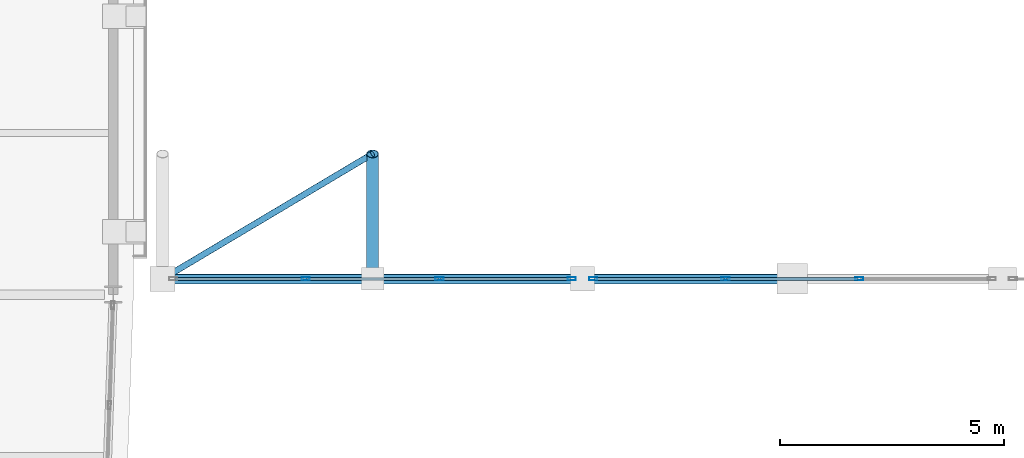
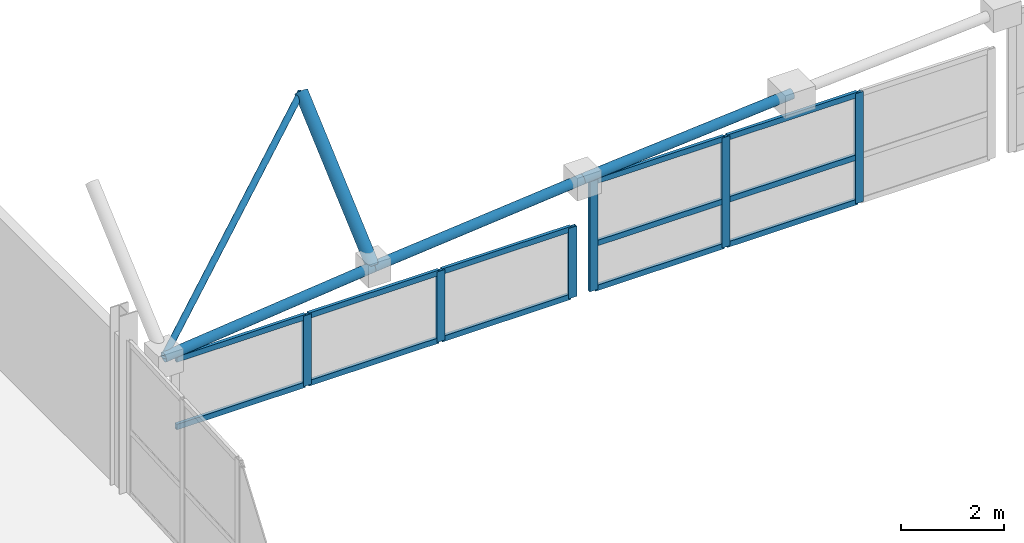
# One storey, part 27 of 60: 22 members, 1 beam, 2 elements without a shape of their own.
"""IFC4 building model written with IfcOpenShell, lengths in metres."""

from ifc_helpers import new_model, si_unit, direction, frame, origin, origin_2d, place, context, subcontext, project, spatial, hollow_rectangle, hollow_circle, extrude, material, layer, layer_set, material_profile, profile_set, type_object, element, aggregate, save


model = new_model("IFC4")

# Units and contexts
model_context = context("Model", 3, precision=1e-05, world=origin(), true_north=direction((0.0, 1.0)))
body_context = subcontext(model_context, "Body", "Model", "MODEL_VIEW")
ifc_project = project(units=[si_unit("LENGTHUNIT", "METRE"), si_unit("AREAUNIT", "SQUARE_METRE"), si_unit("VOLUMEUNIT", "CUBIC_METRE"), si_unit("PLANEANGLEUNIT", "RADIAN"), si_unit("MASSUNIT", "GRAM", prefix="KILO")], contexts=[model_context])

# Site, building, storey
site_placement = place(None, origin())
site = spatial("IfcSite", under=ifc_project, at=site_placement, CompositionType="ELEMENT")
building_placement = place(site_placement, origin())
building = spatial("IfcBuilding", under=site, at=building_placement, Name="Quillay Park Conservatory", CompositionType="ELEMENT")
storey_placement = place(building_placement, frame((0.0, 0.0, 9.89990234375)))
storey = spatial("IfcBuildingStorey", under=building, at=storey_placement, Name="L02", CompositionType="ELEMENT", Elevation=9.89990234375)

# Curtain wall, members
ifc_material_1 = material(Name="Thermally Broken Anodised Aluminium 6063-T6", Category="aluminium")
ifc_layer = layer(ifc_material_1, 0.219970703125)
ifc_layer_set = layer_set([ifc_layer], Name="UNITISED CURTAIN WALL CONSERVATORY (Thermally Broken Anodised Aluminium 6063-T6)")
curtain_wall_type = type_object("IfcCurtainWallType", Name="UNITISED CURTAIN WALL CONSERVATORY", PredefinedType="USERDEFINED", material=ifc_layer_set)
curtain_wall_1_placement = place(storey_placement, origin())
curtain_wall_1 = element("IfcCurtainWall", 1, at=curtain_wall_1_placement, inside=storey, type_object=curtain_wall_type, Name="L02 Unitised Curtain Wall 187", ObjectType="UNITISED CURTAIN WALL", PredefinedType="USERDEFINED")
ifc_material_2 = material(Name="Thermally Broken Anodised Aluminium 6063-T6", Category="aluminium")
ifc_material_profile_1 = material_profile(ifc_material_2, hollow_rectangle(XDim=0.070068359375, YDim=0.179931640625, WallThickness=0.00390625, at=origin_2d()), Name="AL70x180x4")
ifc_profile_set_1 = profile_set([ifc_material_profile_1], Name="Thermally Broken Anodised Aluminium 6063-T6")
member_type_1 = type_object("IfcMemberType", Name="CURTAIN WALL MULLION 70 X180", PredefinedType="MULLION", material=ifc_profile_set_1)
member_1_placement = place(storey_placement, frame((39.7685546875, 85.550048828125, 0.7001953125), z_axis=(0.0, 0.0, 1.0), x_axis=(0.0, -1.0, 0.0)))
member_1 = element("IfcMember", 2, at=member_1_placement, type_object=member_type_1, Name="CW-C1 mullion 1", PredefinedType="MULLION", context=body_context, shape_type="SweptSolid", body=[
    extrude(hollow_rectangle(XDim=0.070068359375, YDim=0.179931640625, WallThickness=0.00390625, at=origin_2d()), origin(), (0.0, 0.0, 1.0), 1.665771484375),
])
member_2_placement = place(storey_placement, frame((36.81982421875, 85.550048828125, 0.7001953125), z_axis=(0.0, 0.0, 1.0), x_axis=(0.0, -1.0, 0.0)))
member_2 = element("IfcMember", 3, at=member_2_placement, type_object=member_type_1, Name="CW-C1 mullion 2", PredefinedType="MULLION", context=body_context, shape_type="SweptSolid", body=[
    extrude(hollow_rectangle(XDim=0.070068359375, YDim=0.179931640625, WallThickness=0.00390625, at=origin_2d()), origin(), (0.0, 0.0, 1.0), 1.665771484375),
])
member_3_placement = place(storey_placement, frame((33.8359375, 85.550048828125, 0.7001953125), z_axis=(0.0, 0.0, 1.0), x_axis=(0.0, -1.0, 0.0)))
member_3 = element("IfcMember", 4, at=member_3_placement, type_object=member_type_1, Name="CW-C1 mullion 3", PredefinedType="MULLION", context=body_context, shape_type="SweptSolid", body=[
    extrude(hollow_rectangle(XDim=0.070068359375, YDim=0.179931640625, WallThickness=0.00390625, at=origin_2d()), origin(), (0.0, 0.0, 1.0), 1.665771484375),
])

curtain_wall_2_placement = place(storey_placement, origin())
curtain_wall_2 = element("IfcCurtainWall", 5, at=curtain_wall_2_placement, inside=storey, type_object=curtain_wall_type, Name="L02 Unitised Curtain Wall 188", ObjectType="UNITISED CURTAIN WALL", PredefinedType="USERDEFINED")
member_4_placement = place(storey_placement, frame((46.17529296875, 85.550048828125, 0.7001953125), z_axis=(0.0, 0.0, 1.0), x_axis=(0.0, -1.0, 0.0)))
member_4 = element("IfcMember", 6, at=member_4_placement, type_object=member_type_1, Name="CW-C1 mullion 2", PredefinedType="MULLION", context=body_context, shape_type="SweptSolid", body=[
    extrude(hollow_rectangle(XDim=0.070068359375, YDim=0.179931640625, WallThickness=0.00390625, at=origin_2d()), origin(), (0.0, 0.0, 1.0), 2.599365234375),
])
member_5_placement = place(storey_placement, frame((43.19140625, 85.550048828125, 0.7001953125), z_axis=(0.0, 0.0, 1.0), x_axis=(0.0, -1.0, 0.0)))
member_5 = element("IfcMember", 7, at=member_5_placement, type_object=member_type_1, Name="CW-C1 mullion 3", PredefinedType="MULLION", context=body_context, shape_type="SweptSolid", body=[
    extrude(hollow_rectangle(XDim=0.070068359375, YDim=0.179931640625, WallThickness=0.00390625, at=origin_2d()), origin(), (0.0, 0.0, 1.0), 2.599365234375),
])
member_6_placement = place(storey_placement, frame((40.24267578125, 85.550048828125, 0.7001953125), z_axis=(0.0, 0.0, 1.0), x_axis=(0.0, -1.0, 0.0)))
member_6 = element("IfcMember", 8, at=member_6_placement, type_object=member_type_1, Name="CW-C1 mullion 4", PredefinedType="MULLION", context=body_context, shape_type="SweptSolid", body=[
    extrude(hollow_rectangle(XDim=0.070068359375, YDim=0.179931640625, WallThickness=0.00390625, at=origin_2d()), origin(), (0.0, 0.0, 1.0), 2.599365234375),
])

# Member
ifc_material_3 = material(Name="Thermally Broken Anodised Aluminium 6063-T6", Category="aluminium")
ifc_material_profile_2 = material_profile(ifc_material_3, hollow_rectangle(XDim=0.070068359375, YDim=0.1298828125, WallThickness=0.003173828125, at=origin_2d()), Name="AL70x130x3.2")
ifc_profile_set_2 = profile_set([ifc_material_profile_2], Name="Thermally Broken Anodised Aluminium 6063-T6")
member_type_2 = type_object("IfcMemberType", Name="CURTAIN WALL TRANSOM 70 X130", PredefinedType="USERDEFINED", material=ifc_profile_set_2)
member_7_placement = place(storey_placement, frame((39.733642578125, 85.550048828125, 0.735107421875), z_axis=(-1.0, 0.0, 0.0), x_axis=(0.0, -1.0, 0.0)))
member_7 = element("IfcMember", 9, at=member_7_placement, type_object=member_type_2, Name="CW-C1 transom 1.1", ObjectType="TRANSOM", PredefinedType="USERDEFINED", context=body_context, shape_type="SweptSolid", body=[
    extrude(hollow_rectangle(XDim=0.070068359375, YDim=0.1298828125, WallThickness=0.003173828125, at=origin_2d()), origin(), (0.0, 0.0, 1.0), 2.87890625),
])

member_8_placement = place(storey_placement, frame((39.733642578125, 85.550048828125, 2.3310546875), z_axis=(-1.0, 0.0, 0.0), x_axis=(0.0, -1.0, 0.0)))
member_8 = element("IfcMember", 10, at=member_8_placement, type_object=member_type_2, Name="CW-C1 transom 1.2", ObjectType="TRANSOM", PredefinedType="USERDEFINED", context=body_context, shape_type="SweptSolid", body=[
    extrude(hollow_rectangle(XDim=0.070068359375, YDim=0.1298828125, WallThickness=0.003173828125, at=origin_2d()), origin(), (0.0, 0.0, 1.0), 2.87890625),
])

member_9_placement = place(storey_placement, frame((36.78466796875, 85.550048828125, 0.735107421875), z_axis=(-1.0, 0.0, 0.0), x_axis=(0.0, -1.0, 0.0)))
member_9 = element("IfcMember", 11, at=member_9_placement, type_object=member_type_2, Name="CW-C1 transom 2.1", ObjectType="TRANSOM", PredefinedType="USERDEFINED", context=body_context, shape_type="SweptSolid", body=[
    extrude(hollow_rectangle(XDim=0.070068359375, YDim=0.1298828125, WallThickness=0.003173828125, at=origin_2d()), origin(), (0.0, 0.0, 1.0), 2.913818359375),
])

member_10_placement = place(storey_placement, frame((36.78466796875, 85.550048828125, 2.3310546875), z_axis=(-1.0, 0.0, 0.0), x_axis=(0.0, -1.0, 0.0)))
member_10 = element("IfcMember", 12, at=member_10_placement, type_object=member_type_2, Name="CW-C1 transom 2.2", ObjectType="TRANSOM", PredefinedType="USERDEFINED", context=body_context, shape_type="SweptSolid", body=[
    extrude(hollow_rectangle(XDim=0.070068359375, YDim=0.1298828125, WallThickness=0.003173828125, at=origin_2d()), origin(), (0.0, 0.0, 1.0), 2.913818359375),
])

member_11_placement = place(storey_placement, frame((33.80078125, 85.550048828125, 0.735107421875), z_axis=(-1.0, 0.0, 0.0), x_axis=(0.0, -1.0, 0.0)))
member_11 = element("IfcMember", 13, at=member_11_placement, type_object=member_type_2, Name="CW-C1 transom 3.1", ObjectType="TRANSOM", PredefinedType="USERDEFINED", context=body_context, shape_type="SweptSolid", body=[
    extrude(hollow_rectangle(XDim=0.070068359375, YDim=0.1298828125, WallThickness=0.003173828125, at=origin_2d()), origin(), (0.0, 0.0, 1.0), 2.878662109375),
])

member_12_placement = place(storey_placement, frame((33.80078125, 85.550048828125, 2.3310546875), z_axis=(-1.0, 0.0, 0.0), x_axis=(0.0, -1.0, 0.0)))
member_12 = element("IfcMember", 14, at=member_12_placement, type_object=member_type_2, Name="CW-C1 transom 3.2", ObjectType="TRANSOM", PredefinedType="USERDEFINED", context=body_context, shape_type="SweptSolid", body=[
    extrude(hollow_rectangle(XDim=0.070068359375, YDim=0.1298828125, WallThickness=0.003173828125, at=origin_2d()), origin(), (0.0, 0.0, 1.0), 2.878662109375),
])

aggregate(curtain_wall_1, [member_1, member_2, member_3, member_7, member_8, member_9, member_10, member_11, member_12])

member_13_placement = place(storey_placement, frame((46.140380859375, 85.550048828125, 0.735107421875), z_axis=(-1.0, 0.0, 0.0), x_axis=(0.0, -1.0, 0.0)))
member_13 = element("IfcMember", 15, at=member_13_placement, type_object=member_type_2, Name="CW-C1 transom 2.1", ObjectType="TRANSOM", PredefinedType="USERDEFINED", context=body_context, shape_type="SweptSolid", body=[
    extrude(hollow_rectangle(XDim=0.070068359375, YDim=0.1298828125, WallThickness=0.003173828125, at=origin_2d()), origin(), (0.0, 0.0, 1.0), 2.9140625),
])

member_14_placement = place(storey_placement, frame((46.140380859375, 85.550048828125, 1.7919921875), z_axis=(-1.0, 0.0, 0.0), x_axis=(0.0, -1.0, 0.0)))
member_14 = element("IfcMember", 16, at=member_14_placement, type_object=member_type_2, Name="CW-C1 transom 2.2", ObjectType="TRANSOM", PredefinedType="USERDEFINED", context=body_context, shape_type="SweptSolid", body=[
    extrude(hollow_rectangle(XDim=0.070068359375, YDim=0.1298828125, WallThickness=0.003173828125, at=origin_2d()), origin(), (0.0, 0.0, 1.0), 2.9140625),
])

member_15_placement = place(storey_placement, frame((46.140380859375, 85.550048828125, 3.2646484375), z_axis=(-1.0, 0.0, 0.0), x_axis=(0.0, -1.0, 0.0)))
member_15 = element("IfcMember", 17, at=member_15_placement, type_object=member_type_2, Name="CW-C1 transom 2.3", ObjectType="TRANSOM", PredefinedType="USERDEFINED", context=body_context, shape_type="SweptSolid", body=[
    extrude(hollow_rectangle(XDim=0.070068359375, YDim=0.1298828125, WallThickness=0.003173828125, at=origin_2d()), origin(), (0.0, 0.0, 1.0), 2.9140625),
])

member_16_placement = place(storey_placement, frame((43.156494140625, 85.550048828125, 0.735107421875), z_axis=(-1.0, 0.0, 0.0), x_axis=(0.0, -1.0, 0.0)))
member_16 = element("IfcMember", 18, at=member_16_placement, type_object=member_type_2, Name="CW-C1 transom 3.1", ObjectType="TRANSOM", PredefinedType="USERDEFINED", context=body_context, shape_type="SweptSolid", body=[
    extrude(hollow_rectangle(XDim=0.070068359375, YDim=0.1298828125, WallThickness=0.003173828125, at=origin_2d()), origin(), (0.0, 0.0, 1.0), 2.87890625),
])

member_17_placement = place(storey_placement, frame((43.156494140625, 85.550048828125, 1.7919921875), z_axis=(-1.0, 0.0, 0.0), x_axis=(0.0, -1.0, 0.0)))
member_17 = element("IfcMember", 19, at=member_17_placement, type_object=member_type_2, Name="CW-C1 transom 3.2", ObjectType="TRANSOM", PredefinedType="USERDEFINED", context=body_context, shape_type="SweptSolid", body=[
    extrude(hollow_rectangle(XDim=0.070068359375, YDim=0.1298828125, WallThickness=0.003173828125, at=origin_2d()), origin(), (0.0, 0.0, 1.0), 2.87890625),
])

member_18_placement = place(storey_placement, frame((43.156494140625, 85.550048828125, 3.2646484375), z_axis=(-1.0, 0.0, 0.0), x_axis=(0.0, -1.0, 0.0)))
member_18 = element("IfcMember", 20, at=member_18_placement, type_object=member_type_2, Name="CW-C1 transom 3.3", ObjectType="TRANSOM", PredefinedType="USERDEFINED", context=body_context, shape_type="SweptSolid", body=[
    extrude(hollow_rectangle(XDim=0.070068359375, YDim=0.1298828125, WallThickness=0.003173828125, at=origin_2d()), origin(), (0.0, 0.0, 1.0), 2.87890625),
])

aggregate(curtain_wall_2, [member_4, member_5, member_6, member_13, member_14, member_15, member_16, member_17, member_18])

# Beam
ifc_material_4 = material(Name="Steel S355J2H", Category="steel")
ifc_material_profile_3 = material_profile(ifc_material_4, hollow_circle(Radius=0.136474609375, WallThickness=0.012451171875, at=origin_2d()), Name="CHS273x12.5")
ifc_profile_set_3 = profile_set([ifc_material_profile_3], Name="Steel S355J2H")
beam_type = type_object("IfcBeamType", Name="GRIDSHELL ARCH BEAM CHS273", PredefinedType="USERDEFINED", material=ifc_profile_set_3)
beam_placement = place(storey_placement, frame((35.327880859375, 85.550048828125, 2.962158203125), z_axis=(0.0, 0.751437038609, 0.659804802201), x_axis=(-1.0, 0.0, 0.0)))
element("IfcBeam", 21, at=beam_placement, inside=storey, type_object=beam_type, Name="Gridshell member GS-ARCH-01-00", ObjectType="GRIDSHELL ARCH BEAM", PredefinedType="USERDEFINED", context=body_context, shape_type="SweptSolid", body=[
    extrude(hollow_circle(Radius=0.136474609375, WallThickness=0.012451171875, at=origin_2d()), origin(), (0.0, 0.0, 1.0), 3.7060546875),
])

# Members
ifc_material_5 = material(Name="Steel S355J2H", Category="steel")
ifc_material_profile_4 = material_profile(ifc_material_5, hollow_circle(Radius=0.109619140625, WallThickness=0.010009765625, at=origin_2d()), Name="CHS219.1x10")
ifc_profile_set_4 = profile_set([ifc_material_profile_4], Name="Steel S355J2H")
member_type_3 = type_object("IfcMemberType", Name="GRIDSHELL ARCH RIB CHS219", PredefinedType="USERDEFINED", material=ifc_profile_set_4)
member_19_placement = place(storey_placement, frame((30.64990234375, 85.550048828125, 2.466064453125), z_axis=(0.994423821707, 0.0, 0.105457398137), x_axis=(0.0, 1.0, 0.0)))
element("IfcMember", 22, at=member_19_placement, inside=storey, type_object=member_type_3, Name="Gridshell member GS-RIB-00-00", ObjectType="GRIDSHELL ARCH RIB", PredefinedType="USERDEFINED", context=body_context, shape_type="SweptSolid", body=[
    extrude(hollow_circle(Radius=0.109619140625, WallThickness=0.010009765625, at=origin_2d()), origin(), (0.0, 0.0, 1.0), 4.7041015625),
])
member_20_placement = place(storey_placement, frame((35.327880859375, 85.550048828125, 2.962158203125), z_axis=(0.995654726514, 0.0, 0.093121778179), x_axis=(0.0, 1.0, 0.0)))
element("IfcMember", 23, at=member_20_placement, inside=storey, type_object=member_type_3, Name="Gridshell member GS-RIB-01-00", ObjectType="GRIDSHELL ARCH RIB", PredefinedType="USERDEFINED", context=body_context, shape_type="SweptSolid", body=[
    extrude(hollow_circle(Radius=0.109619140625, WallThickness=0.010009765625, at=origin_2d()), origin(), (0.0, 0.0, 1.0), 4.6982421875),
])
member_21_placement = place(storey_placement, frame((40.005615234375, 85.550048828125, 3.399658203125), z_axis=(0.996735387311, 0.0, 0.080737647239), x_axis=(0.0, 1.0, 0.0)))
element("IfcMember", 24, at=member_21_placement, inside=storey, type_object=member_type_3, Name="Gridshell member GS-RIB-02-00", ObjectType="GRIDSHELL ARCH RIB", PredefinedType="USERDEFINED", context=body_context, shape_type="SweptSolid", body=[
    extrude(hollow_circle(Radius=0.109619140625, WallThickness=0.010009765625, at=origin_2d()), origin(), (0.0, 0.0, 1.0), 4.693115234375),
])
ifc_material_6 = material(Name="Steel S355J2H", Category="steel")
ifc_material_profile_5 = material_profile(ifc_material_6, hollow_circle(Radius=0.06982421875, WallThickness=0.00634765625, at=origin_2d()), Name="CHS139.7x6.3")
ifc_profile_set_5 = profile_set([ifc_material_profile_5], Name="Steel S355J2H")
member_type_4 = type_object("IfcMemberType", Name="GRIDSHELL DIAGRID BRACE CHS140", PredefinedType="BRACE", material=ifc_profile_set_5)
member_22_placement = place(storey_placement, frame((30.64990234375, 85.550048828125, 2.466064453125), z_axis=(0.755978358324, 0.450051935358, 0.475341958201), x_axis=(-0.511538257491, 0.85926050248, 0.0)))
element("IfcMember", 25, at=member_22_placement, inside=storey, type_object=member_type_4, Name="Gridshell member GS-DIAG-00-00", PredefinedType="BRACE", context=body_context, shape_type="SweptSolid", body=[
    extrude(hollow_circle(Radius=0.06982421875, WallThickness=0.00634765625, at=origin_2d()), origin(), (0.0, 0.0, 1.0), 6.18798828125),
])

save(model, "model.ifc")
